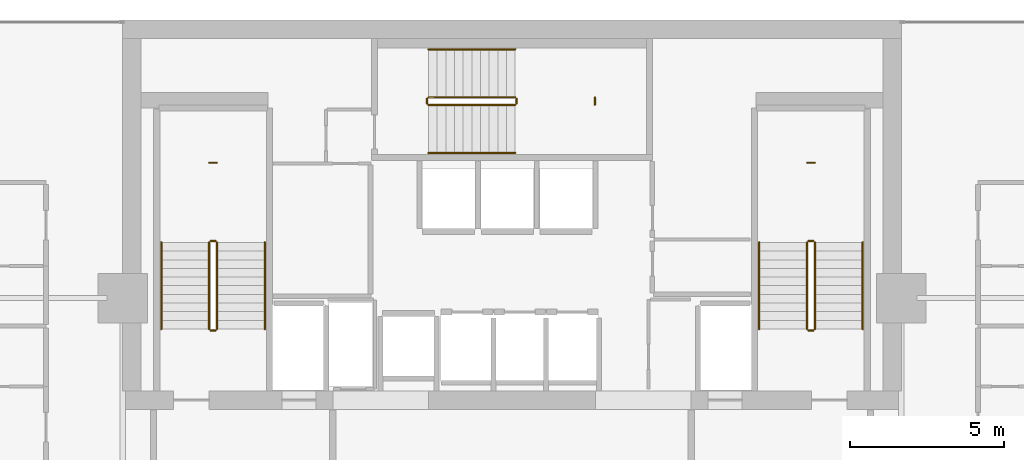
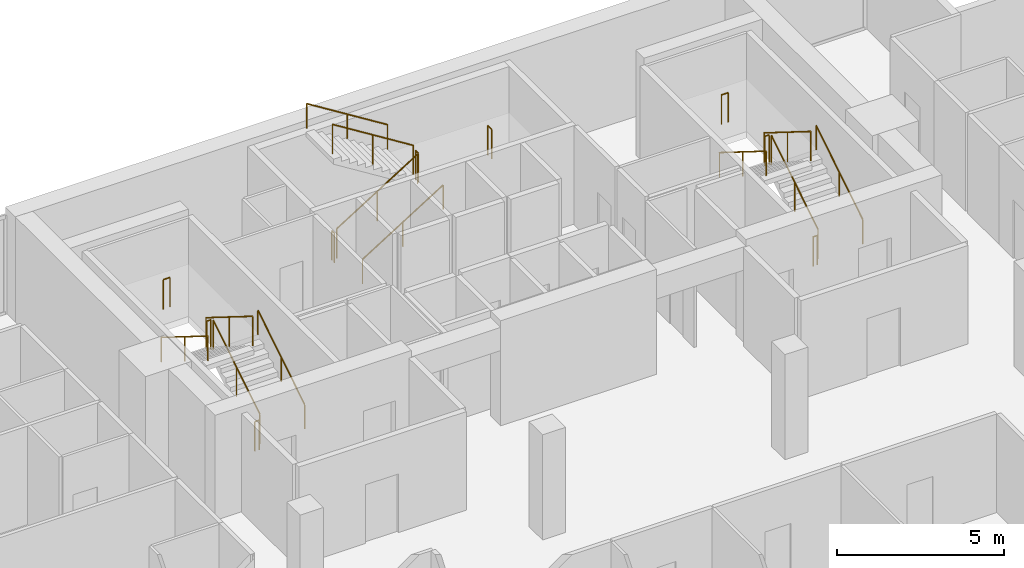
# One storey, part 26 of 26: 21 railings.
"""IFC4 building model written with IfcOpenShell, lengths in metres."""

from ifc_helpers import new_model, si_unit, direction, frame, origin, origin_2d, place, context, subcontext, project, spatial, circle, extrude, material, type_object, element, save


model = new_model("IFC4")

# Units and contexts
model_context = context("Model", 3, precision=1e-05, world=origin(), true_north=direction((0.0, 1.0)))
body_context = subcontext(model_context, "Body", "Model", "MODEL_VIEW")
ifc_project = project(units=[si_unit("LENGTHUNIT", "METRE"), si_unit("AREAUNIT", "SQUARE_METRE"), si_unit("VOLUMEUNIT", "CUBIC_METRE"), si_unit("PLANEANGLEUNIT", "RADIAN"), si_unit("MASSUNIT", "GRAM", prefix="KILO")], contexts=[model_context])

# Site, building, storey
site_placement = place(None, origin())
site = spatial("IfcSite", under=ifc_project, at=site_placement, CompositionType="ELEMENT")
building_placement = place(site_placement, origin())
building = spatial("IfcBuilding", under=site, at=building_placement, Name="Maruvema Waterfront Hotel and Observation Tower", CompositionType="ELEMENT")
storey_placement = place(building_placement, frame((0.0, 0.0, 285.60009765625)))
storey = spatial("IfcBuildingStorey", under=building, at=storey_placement, Name="L70", CompositionType="ELEMENT", Elevation=285.60009765625)

# Railings
ifc_material_1 = material(Name="Brushed stainless steel Grade 316", Category="steel")
railing_type_1 = type_object("IfcRailingType", Name="Ramp Continuous Wall Handrail 920 mm", PredefinedType="HANDRAIL", material=ifc_material_1)
railing_1_placement = place(storey_placement, frame((29.800048828125, 44.0, 0.1748046875)))
element("IfcRailing", 1, at=railing_1_placement, inside=storey, type_object=railing_type_1, Name="L70 ST-01 stair handrail 1", PredefinedType="HANDRAIL", context=body_context, shape_type="SweptSolid", body=[
    extrude(circle(Radius=0.02392578125, at=origin_2d()), frame((0.0, 0.0, 0.89599609375), z_axis=(0.0, 0.848002457836, 0.529992293815), x_axis=(-1.0, 0.0, 0.0)), (0.0, 0.0, 1.0), 3.302001953125),
    extrude(circle(Radius=0.02099609375, at=origin_2d()), origin(), (0.0, 0.0, 1.0), 0.871826171875),
    extrude(circle(Radius=0.02099609375, at=origin_2d()), frame((0.0, 1.39990234375, 0.875)), (0.0, 0.0, 1.0), 0.871826171875),
    extrude(circle(Radius=0.02099609375, at=origin_2d()), frame((0.0, 2.800048828125, 1.75)), (0.0, 0.0, 1.0), 0.871826171875),
])
railing_2_placement = place(storey_placement, frame((26.449951171875, 46.800048828125, 2.099853515625)))
element("IfcRailing", 2, at=railing_2_placement, inside=storey, type_object=railing_type_1, Name="L70 ST-01 stair handrail 2", PredefinedType="HANDRAIL", context=body_context, shape_type="SweptSolid", body=[
    extrude(circle(Radius=0.02392578125, at=origin_2d()), frame((0.0, 0.0, 0.89599609375), z_axis=(0.0, -0.848002457836, 0.529992293815), x_axis=(1.0, 0.0, 0.0)), (0.0, 0.0, 1.0), 3.302001953125),
    extrude(circle(Radius=0.02099609375, at=origin_2d()), origin(), (0.0, 0.0, 1.0), 0.871826171875),
    extrude(circle(Radius=0.02099609375, at=origin_2d()), frame((0.0, -1.39990234375, 0.875)), (0.0, 0.0, 1.0), 0.871826171875),
    extrude(circle(Radius=0.02099609375, at=origin_2d()), frame((0.0, -2.800048828125, 1.75)), (0.0, 0.0, 1.0), 0.871826171875),
])
railing_3_placement = place(storey_placement, frame((35.10009765625, 49.699951171875, 0.1748046875)))
element("IfcRailing", 3, at=railing_3_placement, inside=storey, type_object=railing_type_1, Name="L70 ST-02 stair handrail 1", PredefinedType="HANDRAIL", context=body_context, shape_type="SweptSolid", body=[
    extrude(circle(Radius=0.02392578125, at=origin_2d()), frame((0.0, 0.0, 0.89599609375), z_axis=(0.847981687118, 0.0, 0.530025526095), x_axis=(0.0, 1.0, 0.0)), (0.0, 0.0, 1.0), 3.3017578125),
    extrude(circle(Radius=0.02099609375, at=origin_2d()), origin(), (0.0, 0.0, 1.0), 0.871826171875),
    extrude(circle(Radius=0.02099609375, at=origin_2d()), frame((1.39990234375, 0.0, 0.875)), (0.0, 0.0, 1.0), 0.871826171875),
    extrude(circle(Radius=0.02099609375, at=origin_2d()), frame((2.7998046875, 0.0, 1.75)), (0.0, 0.0, 1.0), 0.871826171875),
])
railing_4_placement = place(storey_placement, frame((37.89990234375, 53.050048828125, 2.099853515625)))
element("IfcRailing", 4, at=railing_4_placement, inside=storey, type_object=railing_type_1, Name="L70 ST-02 stair handrail 2", PredefinedType="HANDRAIL", context=body_context, shape_type="SweptSolid", body=[
    extrude(circle(Radius=0.02392578125, at=origin_2d()), frame((0.0, 0.0, 0.89599609375), z_axis=(-0.847981687118, 0.0, 0.530025526095), x_axis=(0.0, -1.0, 0.0)), (0.0, 0.0, 1.0), 3.3017578125),
    extrude(circle(Radius=0.02099609375, at=origin_2d()), origin(), (0.0, 0.0, 1.0), 0.871826171875),
    extrude(circle(Radius=0.02099609375, at=origin_2d()), frame((-1.39990234375, 0.0, 0.875)), (0.0, 0.0, 1.0), 0.871826171875),
    extrude(circle(Radius=0.02099609375, at=origin_2d()), frame((-2.7998046875, 0.0, 1.75)), (0.0, 0.0, 1.0), 0.871826171875),
])
railing_5_placement = place(storey_placement, frame((49.14990234375, 44.0, 0.1748046875)))
element("IfcRailing", 5, at=railing_5_placement, inside=storey, type_object=railing_type_1, Name="L70 ST-03 stair handrail 1", PredefinedType="HANDRAIL", context=body_context, shape_type="SweptSolid", body=[
    extrude(circle(Radius=0.02392578125, at=origin_2d()), frame((0.0, 0.0, 0.89599609375), z_axis=(0.0, 0.848002457836, 0.529992293815), x_axis=(-1.0, 0.0, 0.0)), (0.0, 0.0, 1.0), 3.302001953125),
    extrude(circle(Radius=0.02099609375, at=origin_2d()), origin(), (0.0, 0.0, 1.0), 0.871826171875),
    extrude(circle(Radius=0.02099609375, at=origin_2d()), frame((0.0, 1.39990234375, 0.875)), (0.0, 0.0, 1.0), 0.871826171875),
    extrude(circle(Radius=0.02099609375, at=origin_2d()), frame((0.0, 2.800048828125, 1.75)), (0.0, 0.0, 1.0), 0.871826171875),
])
railing_6_placement = place(storey_placement, frame((45.800048828125, 46.800048828125, 2.099853515625)))
element("IfcRailing", 6, at=railing_6_placement, inside=storey, type_object=railing_type_1, Name="L70 ST-03 stair handrail 2", PredefinedType="HANDRAIL", context=body_context, shape_type="SweptSolid", body=[
    extrude(circle(Radius=0.02392578125, at=origin_2d()), frame((0.0, 0.0, 0.89599609375), z_axis=(0.0, -0.848002457836, 0.529992293815), x_axis=(1.0, 0.0, 0.0)), (0.0, 0.0, 1.0), 3.302001953125),
    extrude(circle(Radius=0.02099609375, at=origin_2d()), origin(), (0.0, 0.0, 1.0), 0.871826171875),
    extrude(circle(Radius=0.02099609375, at=origin_2d()), frame((0.0, -1.39990234375, 0.875)), (0.0, 0.0, 1.0), 0.871826171875),
    extrude(circle(Radius=0.02099609375, at=origin_2d()), frame((0.0, -2.800048828125, 1.75)), (0.0, 0.0, 1.0), 0.871826171875),
])
ifc_material_2 = material(Name="Brushed stainless steel Grade 316", Category="steel")
railing_type_2 = type_object("IfcRailingType", Name="Ramp and Terrace Guard Balustrade 1100 mm", PredefinedType="BALUSTRADE", material=ifc_material_2)
railing_7_placement = place(storey_placement, frame((28.25, 44.0, 0.1748046875)))
element("IfcRailing", 7, at=railing_7_placement, inside=storey, type_object=railing_type_2, Name="L70 ST-01 stair guard 1", PredefinedType="BALUSTRADE", context=body_context, shape_type="SweptSolid", body=[
    extrude(circle(Radius=0.02392578125, at=origin_2d()), frame((0.0, 0.0, 1.076171875), z_axis=(0.0, 0.848002457836, 0.529992293815), x_axis=(-1.0, 0.0, 0.0)), (0.0, 0.0, 1.0), 3.302001953125),
    extrude(circle(Radius=0.02099609375, at=origin_2d()), origin(), (0.0, 0.0, 1.0), 1.052001953125),
    extrude(circle(Radius=0.02099609375, at=origin_2d()), frame((0.0, 1.39990234375, 0.875)), (0.0, 0.0, 1.0), 1.052001953125),
    extrude(circle(Radius=0.02099609375, at=origin_2d()), frame((0.0, 2.800048828125, 1.75)), (0.0, 0.0, 1.0), 1.052001953125),
])
railing_8_placement = place(storey_placement, frame((28.199951171875, 46.85009765625, 1.9248046875)))
element("IfcRailing", 8, at=railing_8_placement, inside=storey, type_object=railing_type_2, Name="L70 ST-01 stair guard 2", PredefinedType="BALUSTRADE", context=body_context, shape_type="SweptSolid", body=[
    extrude(circle(Radius=0.02392578125, at=origin_2d()), frame((0.0, 0.0, 1.076171875), z_axis=(-1.0, 0.0, 0.0), x_axis=(0.0, -1.0, 0.0)), (0.0, 0.0, 1.0), 0.14990234375),
    extrude(circle(Radius=0.02099609375, at=origin_2d()), origin(), (0.0, 0.0, 1.0), 1.052001953125),
    extrude(circle(Radius=0.02099609375, at=origin_2d()), frame((-0.14990234375, 0.0, 0.0)), (0.0, 0.0, 1.0), 1.052001953125),
])
railing_9_placement = place(storey_placement, frame((28.0, 46.800048828125, 2.099853515625)))
element("IfcRailing", 9, at=railing_9_placement, inside=storey, type_object=railing_type_2, Name="L70 ST-01 stair guard 3", PredefinedType="BALUSTRADE", context=body_context, shape_type="SweptSolid", body=[
    extrude(circle(Radius=0.02392578125, at=origin_2d()), frame((0.0, 0.0, 1.076171875), z_axis=(0.0, -0.848002457836, 0.529992293815), x_axis=(1.0, 0.0, 0.0)), (0.0, 0.0, 1.0), 3.302001953125),
    extrude(circle(Radius=0.02099609375, at=origin_2d()), origin(), (0.0, 0.0, 1.0), 1.052001953125),
    extrude(circle(Radius=0.02099609375, at=origin_2d()), frame((0.0, -1.39990234375, 0.875)), (0.0, 0.0, 1.0), 1.052001953125),
    extrude(circle(Radius=0.02099609375, at=origin_2d()), frame((0.0, -2.800048828125, 1.75)), (0.0, 0.0, 1.0), 1.052001953125),
])
railing_10_placement = place(storey_placement, frame((28.199951171875, 43.949951171875, 0.0)))
element("IfcRailing", 10, at=railing_10_placement, inside=storey, type_object=railing_type_2, Name="L70 ST-01 stair guard 4", PredefinedType="BALUSTRADE", context=body_context, shape_type="SweptSolid", body=[
    extrude(circle(Radius=0.02392578125, at=origin_2d()), frame((0.0, 0.0, 1.076171875), z_axis=(-1.0, 0.0, 0.0), x_axis=(0.0, -1.0, 0.0)), (0.0, 0.0, 1.0), 0.14990234375),
    extrude(circle(Radius=0.02099609375, at=origin_2d()), origin(), (0.0, 0.0, 1.0), 1.052001953125),
    extrude(circle(Radius=0.02099609375, at=origin_2d()), frame((-0.14990234375, 0.0, 0.0)), (0.0, 0.0, 1.0), 1.052001953125),
])
railing_11_placement = place(storey_placement, frame((28.239990234375, 49.3798828125, 1.9248046875)))
element("IfcRailing", 11, at=railing_11_placement, inside=storey, type_object=railing_type_2, Name="L70 ST-01 Half-Landing Slot Guard", PredefinedType="BALUSTRADE", context=body_context, shape_type="SweptSolid", body=[
    extrude(circle(Radius=0.02392578125, at=origin_2d()), frame((0.0, 0.0, 1.076171875), z_axis=(-1.0, 0.0, 0.0), x_axis=(0.0, -1.0, 0.0)), (0.0, 0.0, 1.0), 0.22998046875),
    extrude(circle(Radius=0.02099609375, at=origin_2d()), origin(), (0.0, 0.0, 1.0), 1.052001953125),
    extrude(circle(Radius=0.02099609375, at=origin_2d()), frame((-0.22998046875, 0.0, 0.0)), (0.0, 0.0, 1.0), 1.052001953125),
])
railing_12_placement = place(storey_placement, frame((35.10009765625, 51.25, 0.1748046875)))
element("IfcRailing", 12, at=railing_12_placement, inside=storey, type_object=railing_type_2, Name="L70 ST-02 stair guard 1", PredefinedType="BALUSTRADE", context=body_context, shape_type="SweptSolid", body=[
    extrude(circle(Radius=0.02392578125, at=origin_2d()), frame((0.0, 0.0, 1.076171875), z_axis=(0.847981687118, 0.0, 0.530025526095), x_axis=(0.0, 1.0, 0.0)), (0.0, 0.0, 1.0), 3.3017578125),
    extrude(circle(Radius=0.02099609375, at=origin_2d()), origin(), (0.0, 0.0, 1.0), 1.052001953125),
    extrude(circle(Radius=0.02099609375, at=origin_2d()), frame((1.39990234375, 0.0, 0.875)), (0.0, 0.0, 1.0), 1.052001953125),
    extrude(circle(Radius=0.02099609375, at=origin_2d()), frame((2.7998046875, 0.0, 1.75)), (0.0, 0.0, 1.0), 1.052001953125),
])
railing_13_placement = place(storey_placement, frame((37.949951171875, 51.300048828125, 1.9248046875)))
element("IfcRailing", 13, at=railing_13_placement, inside=storey, type_object=railing_type_2, Name="L70 ST-02 stair guard 2", PredefinedType="BALUSTRADE", context=body_context, shape_type="SweptSolid", body=[
    extrude(circle(Radius=0.02392578125, at=origin_2d()), frame((0.0, 0.0, 1.076171875), z_axis=(0.0, 1.0, 0.0), x_axis=(-1.0, 0.0, 0.0)), (0.0, 0.0, 1.0), 0.14990234375),
    extrude(circle(Radius=0.02099609375, at=origin_2d()), origin(), (0.0, 0.0, 1.0), 1.052001953125),
    extrude(circle(Radius=0.02099609375, at=origin_2d()), frame((0.0, 0.14990234375, 0.0)), (0.0, 0.0, 1.0), 1.052001953125),
])
railing_14_placement = place(storey_placement, frame((37.89990234375, 51.5, 2.099853515625)))
element("IfcRailing", 14, at=railing_14_placement, inside=storey, type_object=railing_type_2, Name="L70 ST-02 stair guard 3", PredefinedType="BALUSTRADE", context=body_context, shape_type="SweptSolid", body=[
    extrude(circle(Radius=0.02392578125, at=origin_2d()), frame((0.0, 0.0, 1.076171875), z_axis=(-0.847981687118, 0.0, 0.530025526095), x_axis=(0.0, -1.0, 0.0)), (0.0, 0.0, 1.0), 3.3017578125),
    extrude(circle(Radius=0.02099609375, at=origin_2d()), origin(), (0.0, 0.0, 1.0), 1.052001953125),
    extrude(circle(Radius=0.02099609375, at=origin_2d()), frame((-1.39990234375, 0.0, 0.875)), (0.0, 0.0, 1.0), 1.052001953125),
    extrude(circle(Radius=0.02099609375, at=origin_2d()), frame((-2.7998046875, 0.0, 1.75)), (0.0, 0.0, 1.0), 1.052001953125),
])
railing_15_placement = place(storey_placement, frame((35.050048828125, 51.300048828125, 0.0)))
element("IfcRailing", 15, at=railing_15_placement, inside=storey, type_object=railing_type_2, Name="L70 ST-02 stair guard 4", PredefinedType="BALUSTRADE", context=body_context, shape_type="SweptSolid", body=[
    extrude(circle(Radius=0.02392578125, at=origin_2d()), frame((0.0, 0.0, 1.076171875), z_axis=(0.0, 1.0, 0.0), x_axis=(-1.0, 0.0, 0.0)), (0.0, 0.0, 1.0), 0.14990234375),
    extrude(circle(Radius=0.02099609375, at=origin_2d()), origin(), (0.0, 0.0, 1.0), 1.052001953125),
    extrude(circle(Radius=0.02099609375, at=origin_2d()), frame((0.0, 0.14990234375, 0.0)), (0.0, 0.0, 1.0), 1.052001953125),
])
railing_16_placement = place(storey_placement, frame((40.47998046875, 51.260009765625, 1.9248046875)))
element("IfcRailing", 16, at=railing_16_placement, inside=storey, type_object=railing_type_2, Name="L70 ST-02 Half-Landing Slot Guard", PredefinedType="BALUSTRADE", context=body_context, shape_type="SweptSolid", body=[
    extrude(circle(Radius=0.02392578125, at=origin_2d()), frame((0.0, 0.0, 1.076171875), z_axis=(0.0, 1.0, 0.0), x_axis=(-1.0, 0.0, 0.0)), (0.0, 0.0, 1.0), 0.22998046875),
    extrude(circle(Radius=0.02099609375, at=origin_2d()), origin(), (0.0, 0.0, 1.0), 1.052001953125),
    extrude(circle(Radius=0.02099609375, at=origin_2d()), frame((0.0, 0.22998046875, 0.0)), (0.0, 0.0, 1.0), 1.052001953125),
])
railing_17_placement = place(storey_placement, frame((47.60009765625, 44.0, 0.1748046875)))
element("IfcRailing", 17, at=railing_17_placement, inside=storey, type_object=railing_type_2, Name="L70 ST-03 stair guard 1", PredefinedType="BALUSTRADE", context=body_context, shape_type="SweptSolid", body=[
    extrude(circle(Radius=0.02392578125, at=origin_2d()), frame((0.0, 0.0, 1.076171875), z_axis=(0.0, 0.848002457836, 0.529992293815), x_axis=(-1.0, 0.0, 0.0)), (0.0, 0.0, 1.0), 3.302001953125),
    extrude(circle(Radius=0.02099609375, at=origin_2d()), origin(), (0.0, 0.0, 1.0), 1.052001953125),
    extrude(circle(Radius=0.02099609375, at=origin_2d()), frame((0.0, 1.39990234375, 0.875)), (0.0, 0.0, 1.0), 1.052001953125),
    extrude(circle(Radius=0.02099609375, at=origin_2d()), frame((0.0, 2.800048828125, 1.75)), (0.0, 0.0, 1.0), 1.052001953125),
])
railing_18_placement = place(storey_placement, frame((47.550048828125, 46.85009765625, 1.9248046875)))
element("IfcRailing", 18, at=railing_18_placement, inside=storey, type_object=railing_type_2, Name="L70 ST-03 stair guard 2", PredefinedType="BALUSTRADE", context=body_context, shape_type="SweptSolid", body=[
    extrude(circle(Radius=0.02392578125, at=origin_2d()), frame((0.0, 0.0, 1.076171875), z_axis=(-1.0, 0.0, 0.0), x_axis=(0.0, -1.0, 0.0)), (0.0, 0.0, 1.0), 0.150146484375),
    extrude(circle(Radius=0.02099609375, at=origin_2d()), origin(), (0.0, 0.0, 1.0), 1.052001953125),
    extrude(circle(Radius=0.02099609375, at=origin_2d()), frame((-0.150146484375, 0.0, 0.0)), (0.0, 0.0, 1.0), 1.052001953125),
])
railing_19_placement = place(storey_placement, frame((47.35009765625, 46.800048828125, 2.099853515625)))
element("IfcRailing", 19, at=railing_19_placement, inside=storey, type_object=railing_type_2, Name="L70 ST-03 stair guard 3", PredefinedType="BALUSTRADE", context=body_context, shape_type="SweptSolid", body=[
    extrude(circle(Radius=0.02392578125, at=origin_2d()), frame((0.0, 0.0, 1.076171875), z_axis=(0.0, -0.848002457836, 0.529992293815), x_axis=(1.0, 0.0, 0.0)), (0.0, 0.0, 1.0), 3.302001953125),
    extrude(circle(Radius=0.02099609375, at=origin_2d()), origin(), (0.0, 0.0, 1.0), 1.052001953125),
    extrude(circle(Radius=0.02099609375, at=origin_2d()), frame((0.0, -1.39990234375, 0.875)), (0.0, 0.0, 1.0), 1.052001953125),
    extrude(circle(Radius=0.02099609375, at=origin_2d()), frame((0.0, -2.800048828125, 1.75)), (0.0, 0.0, 1.0), 1.052001953125),
])
railing_20_placement = place(storey_placement, frame((47.550048828125, 43.949951171875, 0.0)))
element("IfcRailing", 20, at=railing_20_placement, inside=storey, type_object=railing_type_2, Name="L70 ST-03 stair guard 4", PredefinedType="BALUSTRADE", context=body_context, shape_type="SweptSolid", body=[
    extrude(circle(Radius=0.02392578125, at=origin_2d()), frame((0.0, 0.0, 1.076171875), z_axis=(-1.0, 0.0, 0.0), x_axis=(0.0, -1.0, 0.0)), (0.0, 0.0, 1.0), 0.150146484375),
    extrude(circle(Radius=0.02099609375, at=origin_2d()), origin(), (0.0, 0.0, 1.0), 1.052001953125),
    extrude(circle(Radius=0.02099609375, at=origin_2d()), frame((-0.150146484375, 0.0, 0.0)), (0.0, 0.0, 1.0), 1.052001953125),
])
railing_21_placement = place(storey_placement, frame((47.590087890625, 49.3798828125, 1.9248046875)))
element("IfcRailing", 21, at=railing_21_placement, inside=storey, type_object=railing_type_2, Name="L70 ST-03 Half-Landing Slot Guard", PredefinedType="BALUSTRADE", context=body_context, shape_type="SweptSolid", body=[
    extrude(circle(Radius=0.02392578125, at=origin_2d()), frame((0.0, 0.0, 1.076171875), z_axis=(-1.0, 0.0, 0.0), x_axis=(0.0, -1.0, 0.0)), (0.0, 0.0, 1.0), 0.22998046875),
    extrude(circle(Radius=0.02099609375, at=origin_2d()), origin(), (0.0, 0.0, 1.0), 1.052001953125),
    extrude(circle(Radius=0.02099609375, at=origin_2d()), frame((-0.22998046875, 0.0, 0.0)), (0.0, 0.0, 1.0), 1.052001953125),
])

save(model, "model.ifc")
